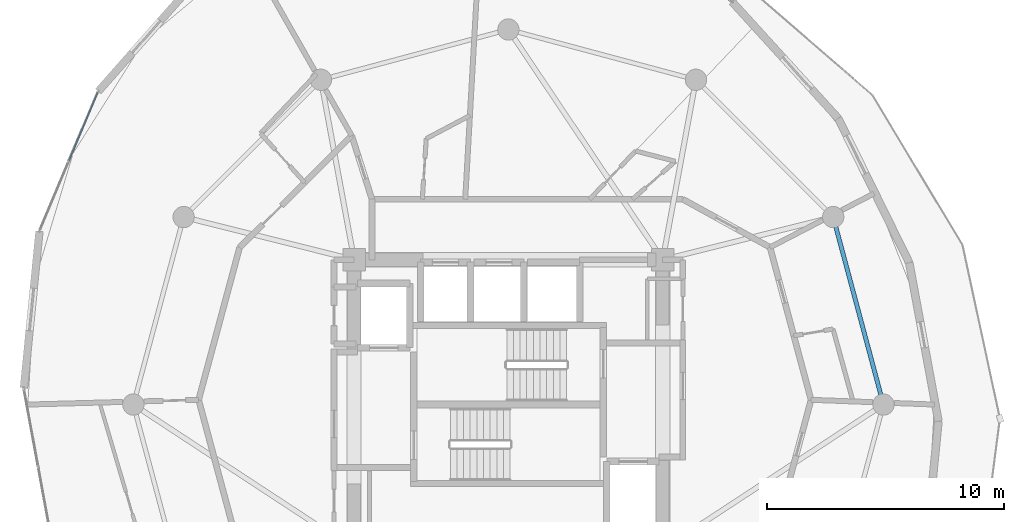
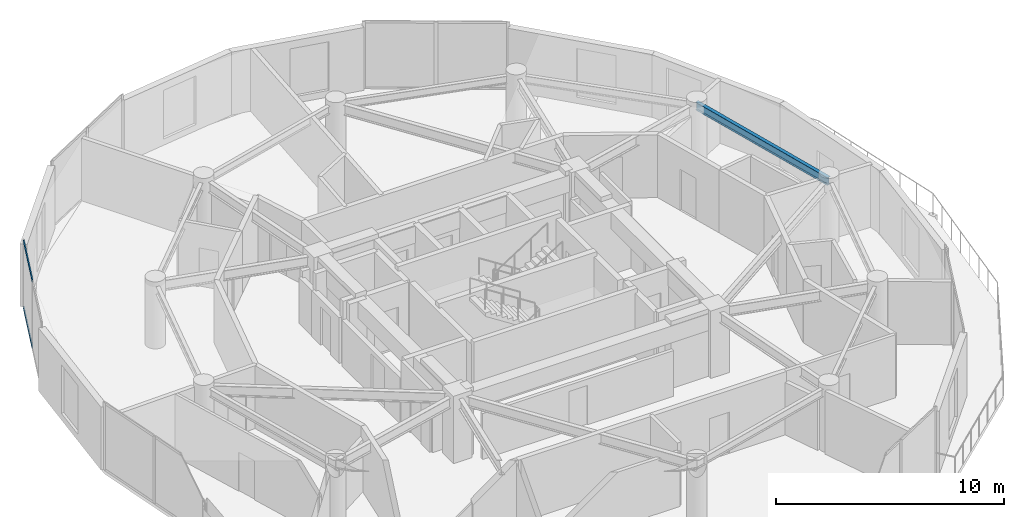
# One storey, part 12 of 21: 2 members, 1 beam, 1 element without a shape of its own.
"""IFC4 building model written with IfcOpenShell, lengths in metres."""

from ifc_helpers import new_model, si_unit, direction, frame, origin, origin_2d, place, context, subcontext, project, spatial, hollow_rectangle, i_section, extrude, source, transform, mapped, material, layer, layer_set, material_profile, profile_set, type_object, element, aggregate, save


model = new_model("IFC4")

# Units and contexts
model_context = context("Model", 3, precision=1e-05, world=origin(), true_north=direction((0.0, 1.0)))
body_context = subcontext(model_context, "Body", "Model", "MODEL_VIEW")
ifc_project = project(units=[si_unit("LENGTHUNIT", "METRE"), si_unit("AREAUNIT", "SQUARE_METRE"), si_unit("VOLUMEUNIT", "CUBIC_METRE"), si_unit("PLANEANGLEUNIT", "RADIAN"), si_unit("MASSUNIT", "GRAM", prefix="KILO")], contexts=[model_context])

# Site, building, storey
site_placement = place(None, origin())
site = spatial("IfcSite", under=ifc_project, at=site_placement, CompositionType="ELEMENT")
building_placement = place(site_placement, origin())
building = spatial("IfcBuilding", under=site, at=building_placement, Name="Solvirekh Grand Hotel", CompositionType="ELEMENT")
storey_placement = place(building_placement, frame((0.0, 0.0, 223.60009765625)))
storey = spatial("IfcBuildingStorey", under=building, at=storey_placement, Name="L58", CompositionType="ELEMENT", Elevation=223.60009765625)

# Beam
ifc_material_1 = material(Name="Steel S355", Category="steel")
ifc_material_profile_1 = material_profile(ifc_material_1, i_section(OverallWidth=0.180908203125, OverallDepth=0.4169921875, WebThickness=0.010009765625, FlangeThickness=0.01611328125, FilletRadius=0.011962890625, at=origin_2d()), Name="W410X85")
ifc_profile_set_1 = profile_set([ifc_material_profile_1], Name="Steel S355")
beam_type = type_object("IfcBeamType", Name="Spandrel_Ring_W410", PredefinedType="SPANDREL", material=ifc_profile_set_1)
beam_placement = place(storey_placement, frame((15.800048828125, 0.0, 3.15185546875), z_axis=(-0.258838541915, 0.965920601923, 0.0), x_axis=(-0.965920601923, -0.258838541915, 0.0)))
element("IfcBeam", 1, at=beam_placement, inside=storey, type_object=beam_type, Name="L58 perimeter spandrel beam 1", PredefinedType="SPANDREL", context=body_context, shape_type="SweptSolid", body=[
    extrude(i_section(OverallWidth=0.180908203125, OverallDepth=0.4169921875, WebThickness=0.010009765625, FlangeThickness=0.01611328125, FilletRadius=0.011962890625, at=origin_2d()), origin(), (0.0, 0.0, 1.0), 8.1787109375),
])

# Curtain wall, members
ifc_material_2 = material(Name="Anodized Bronze Aluminium 6063-T6", Category="aluminium")
ifc_layer = layer(ifc_material_2, 0.159912109375)
ifc_layer_set = layer_set([ifc_layer], Name="Anodized Bronze Aluminium 6063-T6")
curtain_wall_type = type_object("IfcCurtainWallType", Name="CW_Sys4_HighZoneFlushBronzeCW", PredefinedType="NOTDEFINED", material=ifc_layer_set)
curtain_wall_placement = place(storey_placement, origin())
curtain_wall = element("IfcCurtainWall", 2, at=curtain_wall_placement, inside=storey, type_object=curtain_wall_type, Name="L58 unitised bronze-glass curtain wall CW-L58-C13", PredefinedType="NOTDEFINED")
ifc_material_profile_2 = material_profile(ifc_material_2, hollow_rectangle(XDim=0.054931640625, YDim=0.1201171875, WallThickness=0.00390625, at=origin_2d()), Name="ALU RHS 120X55X4")
ifc_profile_set_2 = profile_set([ifc_material_profile_2], Name="Anodized Bronze Aluminium 6063-T6")
member_type = type_object("IfcMemberType", Name="CWTransom_Sys4", PredefinedType="USERDEFINED", material=ifc_profile_set_2)
shared_shape = source(origin(), body_context, "Body", "SweptSolid", [
    extrude(hollow_rectangle(XDim=0.054931640625, YDim=0.1201171875, WallThickness=0.00390625, at=origin_2d()), origin(), (0.0, 0.0, 1.0), 3.1044921875),
])
member_1_placement = place(storey_placement, frame((-17.30615234375, 13.138671875, 0.02734375), z_axis=(-0.387846053154, -0.921724166469, 0.0), x_axis=(0.921724166469, -0.387846053154, 0.0)))
member_1 = element("IfcMember", 3, at=member_1_placement, type_object=member_type, Name="U04 transom 1.1", ObjectType="TRANSOM", PredefinedType="USERDEFINED", context=body_context, shape_type="MappedRepresentation", body=[
    mapped(shared_shape, transform((0.0, 0.0, 0.0), x_axis=(1.0, 0.0, 0.0), y_axis=(0.0, 1.0, 0.0), z_axis=(0.0, 0.0, 1.0), scale=1.0)),
])
member_2_placement = place(storey_placement, frame((-17.30615234375, 13.138671875, 3.572509765625), z_axis=(-0.387846053154, -0.921724166469, 0.0), x_axis=(0.921724166469, -0.387846053154, 0.0)))
member_2 = element("IfcMember", 4, at=member_2_placement, type_object=member_type, Name="U04 transom 1.2", ObjectType="TRANSOM", PredefinedType="USERDEFINED", context=body_context, shape_type="MappedRepresentation", body=[
    mapped(shared_shape, transform((0.0, 0.0, 0.0), x_axis=(1.0, 0.0, 0.0), y_axis=(0.0, 1.0, 0.0), z_axis=(0.0, 0.0, 1.0), scale=1.0)),
])
aggregate(curtain_wall, [member_1, member_2])

save(model, "model.ifc")
